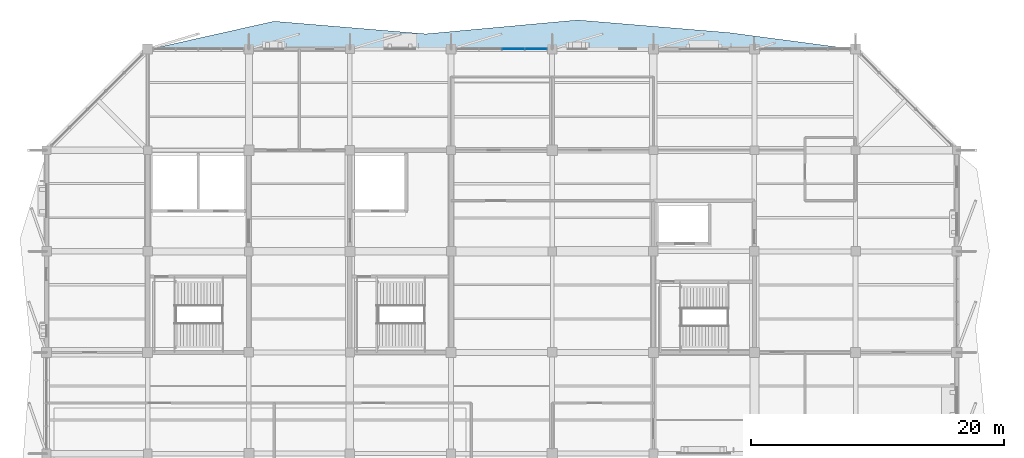
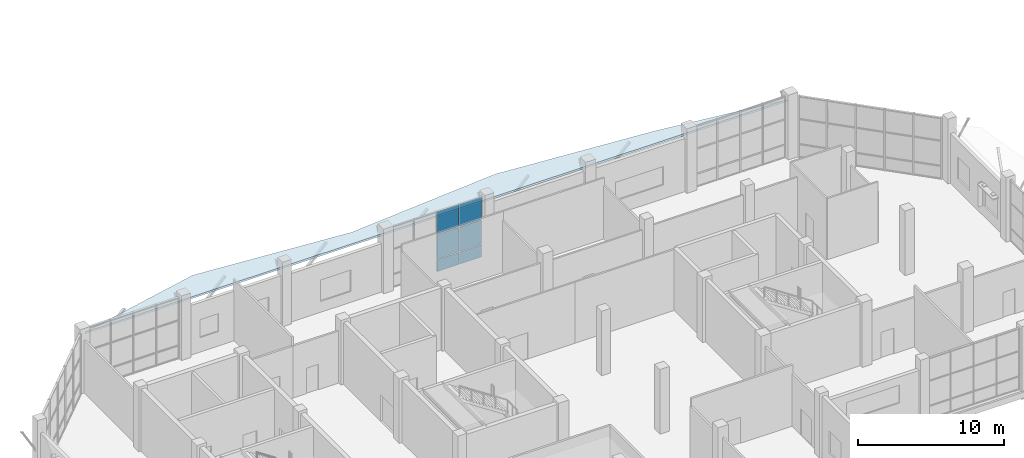
# One storey, part 84 of 122: 6 plates, 1 slab, 1 element without a shape of its own.
"""IFC4 building model written with IfcOpenShell, lengths in metres."""

from ifc_helpers import new_model, si_unit, direction, frame, origin, origin_2d, place, context, subcontext, project, spatial, polyline, rectangle, outline, extrude, material, layer, layer_set, type_object, element, aggregate, save


model = new_model("IFC4")

# Units and contexts
model_context = context("Model", 3, precision=1e-05, world=origin(), true_north=direction((0.0, 1.0)))
body_context = subcontext(model_context, "Body", "Model", "MODEL_VIEW")
ifc_project = project(units=[si_unit("LENGTHUNIT", "METRE"), si_unit("AREAUNIT", "SQUARE_METRE"), si_unit("VOLUMEUNIT", "CUBIC_METRE"), si_unit("PLANEANGLEUNIT", "RADIAN"), si_unit("MASSUNIT", "GRAM", prefix="KILO")], contexts=[model_context])

# Site, building, storey
site_placement = place(None, origin())
site = spatial("IfcSite", under=ifc_project, at=site_placement, CompositionType="ELEMENT")
building_placement = place(site_placement, origin())
building = spatial("IfcBuilding", under=site, at=building_placement, Name="Tenunan Teduh Sports Hall", CompositionType="ELEMENT")
storey_placement = place(building_placement, frame((0.0, 0.0, 5.39990234375)))
storey = spatial("IfcBuildingStorey", under=building, at=storey_placement, Name="L01", CompositionType="ELEMENT", Elevation=5.39990234375)

# Curtain wall, plates
ifc_material_1 = material(Name="Anodised aluminium", Category="aluminium")
curtain_wall_type = type_object("IfcCurtainWallType", Name="CW-UNIT-1", PredefinedType="NOTDEFINED", material=ifc_material_1)
curtain_wall_placement = place(storey_placement, origin())
curtain_wall = element("IfcCurtainWall", 1, at=curtain_wall_placement, inside=storey, type_object=curtain_wall_type, Name="CW-CWM-175-L01-206", PredefinedType="NOTDEFINED")
ifc_material_2 = material(Name="Low-E laminated double glazing", Category="glass")
ifc_layer_1 = layer(ifc_material_2, 0.028076171875)
ifc_layer_set_1 = layer_set([ifc_layer_1], Name="Low-E laminated double glazing")
plate_type_1 = type_object("IfcPlateType", Name="CWP-GLZ-28", PredefinedType="CURTAIN_PANEL", material=ifc_layer_set_1)
plate_1_placement = place(storey_placement, frame((42.91552734375, 118.0, 1.1328125), z_axis=(0.0, 0.0, 1.0), x_axis=(1.0, 0.0, 0.0)))
plate_1 = element("IfcPlate", 2, at=plate_1_placement, type_object=plate_type_1, Name="CW-01 panel 3.2", PredefinedType="CURTAIN_PANEL", context=body_context, shape_type="SweptSolid", body=[
    extrude(rectangle(XDim=1.7412109375, YDim=0.028076171875, at=origin_2d()), origin(), (0.0, 0.0, 1.0), 2.034912109375),
])
plate_2_placement = place(storey_placement, frame((42.91552734375, 118.0, 3.232421875), z_axis=(0.0, 0.0, 1.0), x_axis=(1.0, 0.0, 0.0)))
plate_2 = element("IfcPlate", 3, at=plate_2_placement, type_object=plate_type_1, Name="CW-01 panel 3.3", PredefinedType="CURTAIN_PANEL", context=body_context, shape_type="SweptSolid", body=[
    extrude(rectangle(XDim=1.7412109375, YDim=0.028076171875, at=origin_2d()), origin(), (0.0, 0.0, 1.0), 1.822509765625),
])
plate_3_placement = place(storey_placement, frame((44.70556640625, 118.0, 1.1328125), z_axis=(0.0, 0.0, 1.0), x_axis=(1.0, 0.0, 0.0)))
plate_3 = element("IfcPlate", 4, at=plate_3_placement, type_object=plate_type_1, Name="CW-01 panel 4.2", PredefinedType="CURTAIN_PANEL", context=body_context, shape_type="SweptSolid", body=[
    extrude(rectangle(XDim=1.708740234375, YDim=0.028076171875, at=origin_2d()), origin(), (0.0, 0.0, 1.0), 2.034912109375),
])
plate_4_placement = place(storey_placement, frame((44.70556640625, 118.0, 3.232421875), z_axis=(0.0, 0.0, 1.0), x_axis=(1.0, 0.0, 0.0)))
plate_4 = element("IfcPlate", 5, at=plate_4_placement, type_object=plate_type_1, Name="CW-01 panel 4.3", PredefinedType="CURTAIN_PANEL", context=body_context, shape_type="SweptSolid", body=[
    extrude(rectangle(XDim=1.708740234375, YDim=0.028076171875, at=origin_2d()), origin(), (0.0, 0.0, 1.0), 1.822509765625),
])
ifc_material_3 = material(Name="Insulated aluminium spandrel panel", Category="aluminium")
ifc_layer_2 = layer(ifc_material_3, 0.044921875)
ifc_layer_set_2 = layer_set([ifc_layer_2], Name="Insulated aluminium spandrel panel")
plate_type_2 = type_object("IfcPlateType", Name="CWP-SPN-45", PredefinedType="CURTAIN_PANEL", material=ifc_layer_set_2)
plate_5_placement = place(storey_placement, frame((42.91552734375, 118.0, 0.065185546875), z_axis=(0.0, 0.0, 1.0), x_axis=(1.0, 0.0, 0.0)))
plate_5 = element("IfcPlate", 6, at=plate_5_placement, type_object=plate_type_2, Name="CW-01 panel 3.1", PredefinedType="CURTAIN_PANEL", context=body_context, shape_type="SweptSolid", body=[
    extrude(rectangle(XDim=1.7412109375, YDim=0.028076171875, at=origin_2d()), origin(), (0.0, 0.0, 1.0), 1.00244140625),
])
plate_6_placement = place(storey_placement, frame((44.70556640625, 118.0, 0.065185546875), z_axis=(0.0, 0.0, 1.0), x_axis=(1.0, 0.0, 0.0)))
plate_6 = element("IfcPlate", 7, at=plate_6_placement, type_object=plate_type_2, Name="CW-01 panel 4.1", PredefinedType="CURTAIN_PANEL", context=body_context, shape_type="SweptSolid", body=[
    extrude(rectangle(XDim=1.708740234375, YDim=0.028076171875, at=origin_2d()), origin(), (0.0, 0.0, 1.0), 1.00244140625),
])
aggregate(curtain_wall, [plate_5, plate_1, plate_2, plate_6, plate_3, plate_4])

# Slab
ifc_material_4 = material(Name="Concrete C40/50", Category="concrete")
ifc_layer_3 = layer(ifc_material_4, 0.159912109375)
ifc_layer_set_3 = layer_set([ifc_layer_3], Name="Concrete C40/50")
slab_type = type_object("IfcSlabType", Name="SLB-ROOF-160", PredefinedType="ROOF", material=ifc_layer_set_3)
slab_placement = place(storey_placement, frame((0.0, 0.0, 4.590087890625)))
element("IfcSlab", 8, at=slab_placement, inside=storey, type_object=slab_type, Name="Window Head Sun-Shade Hood SHD-RIB-V5W-N-L01", PredefinedType="ROOF", context=body_context, shape_type="SweptSolid", body=[
    extrude(outline(polyline([(14.199951171875, 118.0), (24.0, 120.199951171875), (36.0, 119.199951171875), (48.0, 120.300048828125), (60.0, 119.300048828125), (69.800048828125, 118.0), (14.199951171875, 118.0)])), origin(), (0.0, 0.0, 1.0), 0.159912109375),
])

save(model, "model.ifc")
